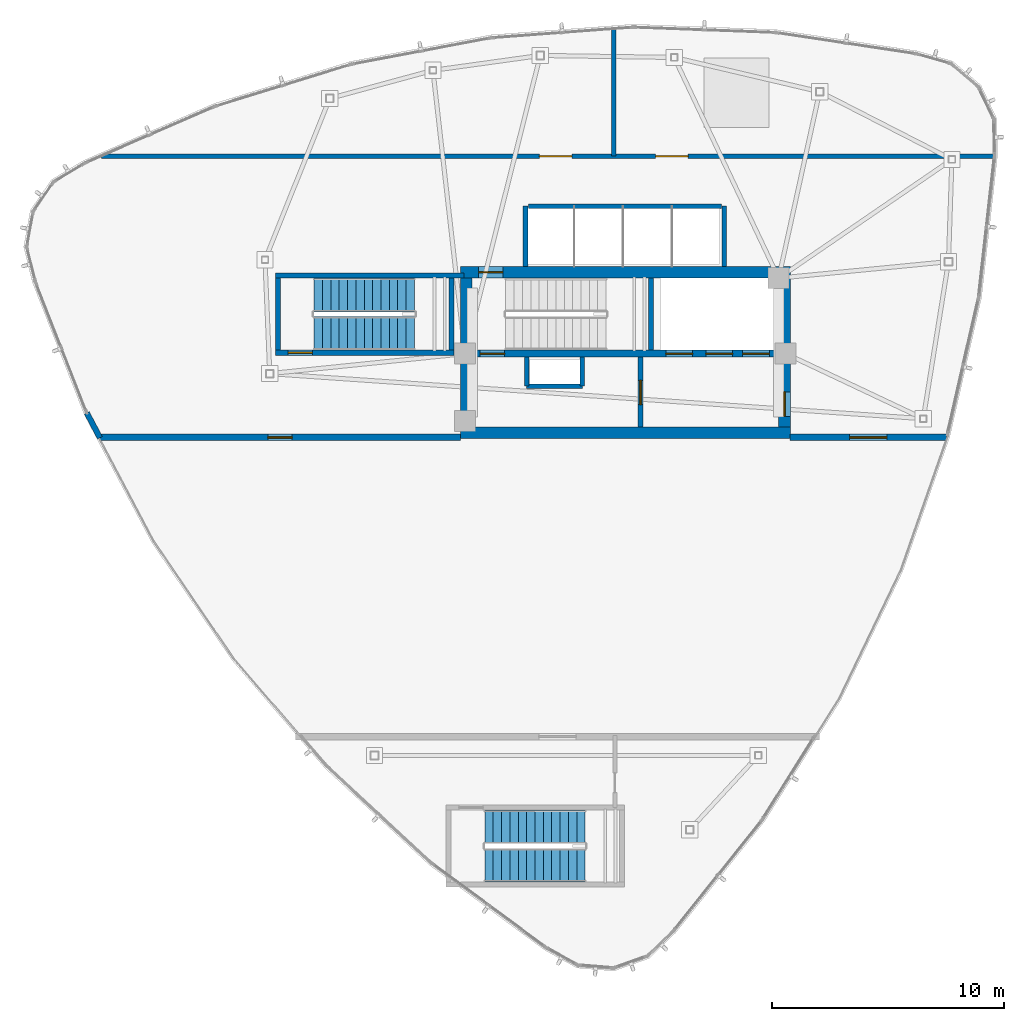
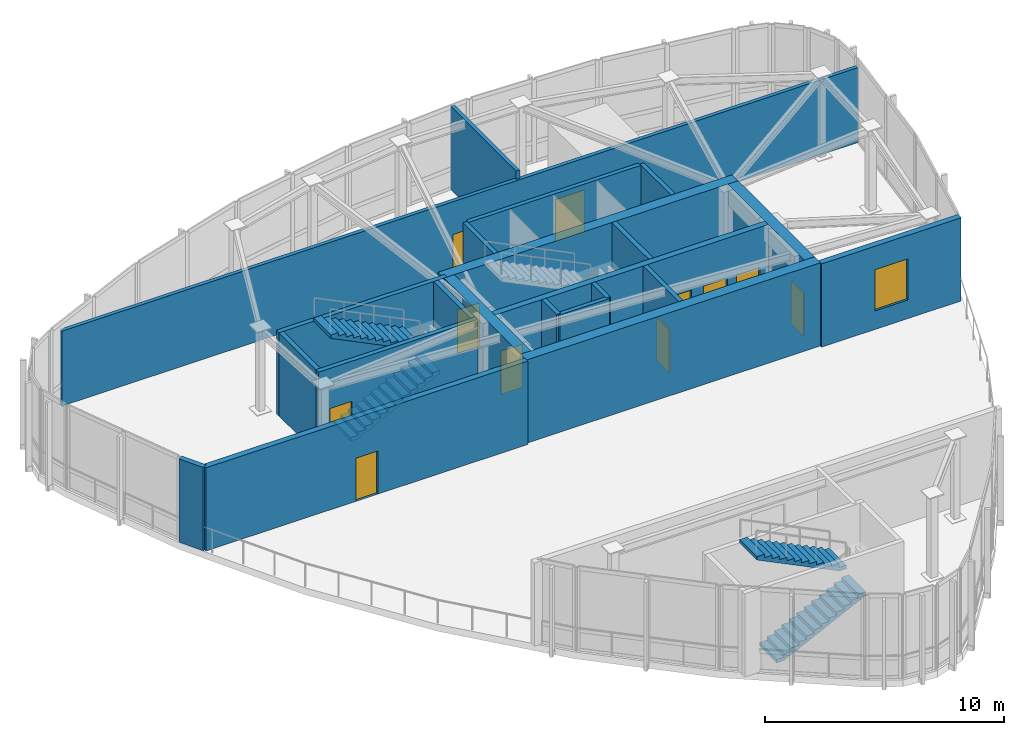
# One storey, part 11 of 16: 22 walls, 11 doors, 4 stair flights, 1 window, 12 openings, 2 elements without a shape of their own.
"""IFC4 building model written with IfcOpenShell, lengths in metres."""

from ifc_helpers import new_model, si_unit, direction, frame, frame_2d, origin, place, context, subcontext, project, spatial, polyline, rectangle, outline, extrude, material, layer, layer_set, type_object, element, fill, aggregate, save


model = new_model("IFC4")

# Units and contexts
model_context = context("Model", 3, precision=1e-05, world=origin(), true_north=direction((0.0, 1.0)))
body_context = subcontext(model_context, "Body", "Model", "MODEL_VIEW")
ifc_project = project(units=[si_unit("LENGTHUNIT", "METRE"), si_unit("AREAUNIT", "SQUARE_METRE"), si_unit("VOLUMEUNIT", "CUBIC_METRE"), si_unit("PLANEANGLEUNIT", "RADIAN"), si_unit("MASSUNIT", "GRAM", prefix="KILO")], contexts=[model_context])

# Site, building, storey
site_placement = place(None, origin())
site = spatial("IfcSite", under=ifc_project, at=site_placement, CompositionType="ELEMENT")
building_placement = place(site_placement, origin())
building = spatial("IfcBuilding", under=site, at=building_placement, Name="Tavelor Broadcast Tower", CompositionType="ELEMENT")
storey_placement = place(building_placement, frame((0.0, 0.0, 332.10009765625)))
storey = spatial("IfcBuildingStorey", under=building, at=storey_placement, Name="L79", CompositionType="ELEMENT", Elevation=332.10009765625)

# Wall, opening, door
ifc_material_1 = material(Name="Concrete C50/60", Category="concrete")
ifc_layer_1 = layer(ifc_material_1, 0.5)
ifc_layer_set_1 = layer_set([ifc_layer_1], Name="Concrete C50/60")
wall_type_1 = type_object("IfcWallType", Name="Core Shear Wall 500 mm", PredefinedType="SHEAR", material=ifc_layer_set_1)
wall_1_placement = place(storey_placement, frame((42.89990234375, 51.449951171875, 0.0), z_axis=(0.0, 0.0, 1.0), x_axis=(1.0, 0.0, 0.0)))
wall_1 = element("IfcWall", 1, at=wall_1_placement, inside=storey, type_object=wall_type_1, Name="L79 Central Core Shear Wall N", PredefinedType="SHEAR", context=body_context, shape_type="SweptSolid", body=[
    extrude(rectangle(XDim=14.2001953125, YDim=0.5, at=frame_2d((7.10009765625, 0.0))), origin(), (0.0, 0.0, 1.0), 4.25),
])
opening_1_placement = place(wall_1_placement, frame((0.780029296875, 0.0, 0.0)))
opening_1 = element("IfcOpeningElement", 2, at=opening_1_placement, cuts=wall_1, Name="Opening DR11", PredefinedType="OPENING", context=body_context, shape_type="SweptSolid", body=[
    extrude(rectangle(XDim=1.050048828125, YDim=2.199951171875, at=frame_2d((0.52490234375, 1.10009765625))), frame((0.0, 0.260009765625, 0.0), z_axis=(0.0, -1.0, 0.0), x_axis=(1.0, 0.0, 0.0)), (0.0, 0.0, 1.0), 0.52001953125),
])
ifc_material_2 = material(Name="Steel S355", Category="steel")
door_type_1 = type_object("IfcDoorType", Name="Stair Core Fire Escape Door 1050x2200", OperationType="NOTDEFINED", PredefinedType="DOOR", material=ifc_material_2)
door_1_placement = place(opening_1_placement, origin())
door_1 = element("IfcDoor", 3, at=door_1_placement, inside=storey, type_object=door_type_1, Name="L79 Stair ST1 Protected Exit Door", OperationType="SINGLE_SWING_LEFT", OverallHeight=2.199951171875, OverallWidth=1.050048828125, PredefinedType="DOOR", context=body_context, shape_type="SweptSolid", body=[
    extrude(rectangle(XDim=1.050048828125, YDim=2.199951171875, at=frame_2d((0.52490234375, 1.10009765625))), frame((0.0, 0.02490234375, 0.0), z_axis=(0.0, -1.0, 0.0), x_axis=(1.0, 0.0, 0.0)), (0.0, 0.0, 1.0), 0.050048828125),
])
fill(opening_1, door_1)

# Walls
wall_2_placement = place(storey_placement, frame((42.89990234375, 44.550048828125, 0.0), z_axis=(0.0, 0.0, 1.0), x_axis=(1.0, 0.0, 0.0)))
element("IfcWall", 4, at=wall_2_placement, inside=storey, type_object=wall_type_1, Name="L79 Central Core Shear Wall S", PredefinedType="SHEAR", context=body_context, shape_type="SweptSolid", body=[
    extrude(rectangle(XDim=14.2001953125, YDim=0.5, at=frame_2d((7.10009765625, 0.0))), origin(), (0.0, 0.0, 1.0), 4.25),
])
wall_3_placement = place(storey_placement, frame((43.14990234375, 44.800048828125, 0.0), z_axis=(0.0, 0.0, 1.0), x_axis=(0.0, 1.0, 0.0)))
element("IfcWall", 5, at=wall_3_placement, inside=storey, type_object=wall_type_1, Name="L79 Central Core Shear Wall W", PredefinedType="SHEAR", context=body_context, shape_type="SweptSolid", body=[
    extrude(rectangle(XDim=6.39990234375, YDim=0.5, at=frame_2d((3.199951171875, 0.0))), origin(), (0.0, 0.0, 1.0), 4.25),
])

# Wall, opening, door
wall_4_placement = place(storey_placement, frame((56.85009765625, 44.800048828125, 0.0), z_axis=(0.0, 0.0, 1.0), x_axis=(0.0, 1.0, 0.0)))
wall_4 = element("IfcWall", 6, at=wall_4_placement, inside=storey, type_object=wall_type_1, Name="L79 Central Core Shear Wall E", PredefinedType="SHEAR", context=body_context, shape_type="SweptSolid", body=[
    extrude(rectangle(XDim=6.39990234375, YDim=0.5, at=frame_2d((3.199951171875, 0.0))), origin(), (0.0, 0.0, 1.0), 4.25),
])
opening_2_placement = place(wall_4_placement, frame((0.449951171875, 0.0, 0.0)))
opening_2 = element("IfcOpeningElement", 7, at=opening_2_placement, cuts=wall_4, Name="Opening DR11", PredefinedType="OPENING", context=body_context, shape_type="SweptSolid", body=[
    extrude(rectangle(XDim=1.050048828125, YDim=2.199951171875, at=frame_2d((0.52490234375, 1.10009765625))), frame((0.0, 0.260009765625, 0.0), z_axis=(0.0, -1.0, 0.0), x_axis=(1.0, 0.0, 0.0)), (0.0, 0.0, 1.0), 0.52001953125),
])
door_2_placement = place(opening_2_placement, origin())
door_2 = element("IfcDoor", 8, at=door_2_placement, inside=storey, type_object=door_type_1, Name="L79 Crown Core East Lobby Door", OperationType="SINGLE_SWING_LEFT", OverallHeight=2.199951171875, OverallWidth=1.050048828125, PredefinedType="DOOR", context=body_context, shape_type="SweptSolid", body=[
    extrude(rectangle(XDim=1.050048828125, YDim=2.199951171875, at=frame_2d((0.52490234375, 1.10009765625))), frame((0.0, 0.02490234375, 0.0), z_axis=(0.0, -1.0, 0.0), x_axis=(1.0, 0.0, 0.0)), (0.0, 0.0, 1.0), 0.050048828125),
])
fill(opening_2, door_2)

# Wall, openings, doors
ifc_layer_2 = layer(ifc_material_1, 0.300048828125)
ifc_layer_set_2 = layer_set([ifc_layer_2], Name="Concrete C50/60")
wall_type_2 = type_object("IfcWallType", Name="Core Spine Shear Wall 300 mm C50", PredefinedType="SHEAR", material=ifc_layer_set_2)
wall_5_placement = place(storey_placement, frame((43.39990234375, 47.949951171875, 0.0), z_axis=(0.0, 0.0, 1.0), x_axis=(1.0, 0.0, 0.0)))
wall_5 = element("IfcWall", 9, at=wall_5_placement, inside=storey, type_object=wall_type_2, Name="L79 Central Core Shear Wall SP1", PredefinedType="SHEAR", context=body_context, shape_type="SweptSolid", body=[
    extrude(rectangle(XDim=13.2001953125, YDim=0.300048828125, at=frame_2d((6.60009765625, 0.0))), origin(), (0.0, 0.0, 1.0), 4.25),
])
opening_3_placement = place(wall_5_placement, frame((0.35009765625, 0.0, 0.0)))
opening_3 = element("IfcOpeningElement", 10, at=opening_3_placement, cuts=wall_5, Name="Opening DR11", PredefinedType="OPENING", context=body_context, shape_type="SweptSolid", body=[
    extrude(rectangle(XDim=1.050048828125, YDim=2.199951171875, at=frame_2d((0.52490234375, 1.10009765625))), frame((0.0, 0.16015625, 0.0), z_axis=(0.0, -1.0, 0.0), x_axis=(1.0, 0.0, 0.0)), (0.0, 0.0, 1.0), 0.320068359375),
])
opening_4_placement = place(wall_5_placement, frame((8.344970703125, 0.0, 0.0)))
opening_4 = element("IfcOpeningElement", 11, at=opening_4_placement, cuts=wall_5, Name="Opening LD02", PredefinedType="OPENING", context=body_context, shape_type="SweptSolid", body=[
    extrude(rectangle(XDim=1.14990234375, YDim=2.199951171875, at=frame_2d((0.574951171875, 1.10009765625))), frame((0.0, 0.16015625, 0.0), z_axis=(0.0, -1.0, 0.0), x_axis=(1.0, 0.0, 0.0)), (0.0, 0.0, 1.0), 0.320068359375),
])
opening_5_placement = place(wall_5_placement, frame((10.06494140625, 0.0, 0.0)))
opening_5 = element("IfcOpeningElement", 12, at=opening_5_placement, cuts=wall_5, Name="Opening LD02", PredefinedType="OPENING", context=body_context, shape_type="SweptSolid", body=[
    extrude(rectangle(XDim=1.14990234375, YDim=2.199951171875, at=frame_2d((0.574951171875, 1.10009765625))), frame((0.0, 0.16015625, 0.0), z_axis=(0.0, -1.0, 0.0), x_axis=(1.0, 0.0, 0.0)), (0.0, 0.0, 1.0), 0.320068359375),
])
opening_6_placement = place(wall_5_placement, frame((11.64501953125, 0.0, 0.0)))
opening_6 = element("IfcOpeningElement", 13, at=opening_6_placement, cuts=wall_5, Name="Opening LD03", PredefinedType="OPENING", context=body_context, shape_type="SweptSolid", body=[
    extrude(rectangle(XDim=1.14990234375, YDim=2.199951171875, at=frame_2d((0.574951171875, 1.10009765625))), frame((0.0, 0.16015625, 0.0), z_axis=(0.0, -1.0, 0.0), x_axis=(1.0, 0.0, 0.0)), (0.0, 0.0, 1.0), 0.320068359375),
])
ifc_material_3 = material(Name="Reinforced Brushed Stainless Steel", Category="concrete")
door_type_2 = type_object("IfcDoorType", Name="Broadcast Goods Lift Sliding Landing Door 1250x2200", OperationType="NOTDEFINED", PredefinedType="DOOR", material=ifc_material_3)
door_3_placement = place(opening_6_placement, origin())
door_3 = element("IfcDoor", 14, at=door_3_placement, inside=storey, type_object=door_type_2, Name="L79 Lift SVL1 Sliding Landing Door", OperationType="SLIDING_TO_LEFT", OverallHeight=2.199951171875, OverallWidth=1.14990234375, PredefinedType="DOOR", context=body_context, shape_type="SweptSolid", body=[
    extrude(rectangle(XDim=1.14990234375, YDim=2.199951171875, at=frame_2d((0.574951171875, 1.10009765625))), frame((0.0, 0.02490234375, 0.0), z_axis=(0.0, -1.0, 0.0), x_axis=(1.0, 0.0, 0.0)), (0.0, 0.0, 1.0), 0.050048828125),
])
fill(opening_6, door_3)
ifc_material_4 = material(Name="Fire-Rated Stainless Steel", Category="steel")
door_type_3 = type_object("IfcDoorType", Name="Firefighting Lift Sliding Landing Door 1200x2200", OperationType="NOTDEFINED", PredefinedType="DOOR", material=ifc_material_4)
door_4_placement = place(opening_4_placement, origin())
door_4 = element("IfcDoor", 15, at=door_4_placement, inside=storey, type_object=door_type_3, Name="L79 Lift FFL1 Sliding Landing Door", OperationType="SLIDING_TO_LEFT", OverallHeight=2.199951171875, OverallWidth=1.14990234375, PredefinedType="DOOR", context=body_context, shape_type="SweptSolid", body=[
    extrude(rectangle(XDim=1.14990234375, YDim=2.199951171875, at=frame_2d((0.574951171875, 1.10009765625))), frame((0.0, 0.02490234375, 0.0), z_axis=(0.0, -1.0, 0.0), x_axis=(1.0, 0.0, 0.0)), (0.0, 0.0, 1.0), 0.050048828125),
])
fill(opening_4, door_4)
door_5_placement = place(opening_5_placement, origin())
door_5 = element("IfcDoor", 16, at=door_5_placement, inside=storey, type_object=door_type_3, Name="L79 Lift FFL2 Sliding Landing Door", OperationType="SLIDING_TO_LEFT", OverallHeight=2.199951171875, OverallWidth=1.14990234375, PredefinedType="DOOR", context=body_context, shape_type="SweptSolid", body=[
    extrude(rectangle(XDim=1.14990234375, YDim=2.199951171875, at=frame_2d((0.574951171875, 1.10009765625))), frame((0.0, 0.02490234375, 0.0), z_axis=(0.0, -1.0, 0.0), x_axis=(1.0, 0.0, 0.0)), (0.0, 0.0, 1.0), 0.050048828125),
])
fill(opening_5, door_5)
door_6_placement = place(opening_3_placement, origin())
door_6 = element("IfcDoor", 17, at=door_6_placement, inside=storey, type_object=door_type_1, Name="L79 Crown Core Stair ST1 Door", OperationType="SINGLE_SWING_LEFT", OverallHeight=2.199951171875, OverallWidth=1.050048828125, PredefinedType="DOOR", context=body_context, shape_type="SweptSolid", body=[
    extrude(rectangle(XDim=1.050048828125, YDim=2.199951171875, at=frame_2d((0.52490234375, 1.10009765625))), frame((0.0, 0.02490234375, 0.0), z_axis=(0.0, -1.0, 0.0), x_axis=(1.0, 0.0, 0.0)), (0.0, 0.0, 1.0), 0.050048828125),
])
fill(opening_3, door_6)

# Wall
ifc_material_5 = material(Name="Calcium Silicate Fire Board 180 mm", Category="gypsum")
ifc_layer_3 = layer(ifc_material_5, 0.179931640625)
ifc_layer_set_3 = layer_set([ifc_layer_3], Name="Calcium Silicate Fire Board 180 mm")
wall_type_3 = type_object("IfcWallType", Name="Fire-Rated Corridor Partition Wall 180 mm", PredefinedType="PARTITIONING", material=ifc_layer_set_3)
wall_6_placement = place(storey_placement, frame((49.5, 56.449951171875, 0.0), z_axis=(0.0, 0.0, 1.0), x_axis=(0.0, 1.0, 0.0)))
element("IfcWall", 18, at=wall_6_placement, inside=storey, type_object=wall_type_3, Name="L79 Crown Peak A Plant Divider", PredefinedType="PARTITIONING", context=body_context, shape_type="SweptSolid", body=[
    extrude(rectangle(XDim=5.4833984375, YDim=0.179931640625, at=frame_2d((2.74169921875, 0.0))), origin(), (0.0, 0.0, 1.0), 4.25),
])

# Wall, openings, doors
wall_7_placement = place(storey_placement, frame((27.437255859375, 56.449951171875, 0.0), z_axis=(0.0, 0.0, 1.0), x_axis=(1.0, 0.0, 0.0)))
wall_7 = element("IfcWall", 19, at=wall_7_placement, inside=storey, type_object=wall_type_3, Name="L79 Peak A Plant Corridor Wall", PredefinedType="PARTITIONING", context=body_context, shape_type="SweptSolid", body=[
    extrude(rectangle(XDim=38.44482421875, YDim=0.179931640625, at=frame_2d((19.222412109375, 0.0))), origin(), (0.0, 0.0, 1.0), 3.824951171875),
])
opening_7_placement = place(wall_7_placement, frame((18.86279296875, 0.0, 0.0)))
opening_7 = element("IfcOpeningElement", 20, at=opening_7_placement, cuts=wall_7, Name="Opening DR41", PredefinedType="OPENING", context=body_context, shape_type="SweptSolid", body=[
    extrude(rectangle(XDim=1.39990234375, YDim=2.14990234375, at=frame_2d((0.699951171875, 1.074951171875))), frame((0.0, 0.10009765625, 0.0), z_axis=(0.0, -1.0, 0.0), x_axis=(1.0, 0.0, 0.0)), (0.0, 0.0, 1.0), 0.199951171875),
])
opening_8_placement = place(wall_7_placement, frame((23.86279296875, 0.0, 0.0)))
opening_8 = element("IfcOpeningElement", 21, at=opening_8_placement, cuts=wall_7, Name="Opening DR41", PredefinedType="OPENING", context=body_context, shape_type="SweptSolid", body=[
    extrude(rectangle(XDim=1.39990234375, YDim=2.14990234375, at=frame_2d((0.699951171875, 1.074951171875))), frame((0.0, 0.10009765625, 0.0), z_axis=(0.0, -1.0, 0.0), x_axis=(1.0, 0.0, 0.0)), (0.0, 0.0, 1.0), 0.199951171875),
])
door_type_4 = type_object("IfcDoorType", Name="Plant Room Double Fire Door 1400x2150", OperationType="NOTDEFINED", PredefinedType="DOOR", material=ifc_material_2)
door_7_placement = place(opening_7_placement, origin())
door_7 = element("IfcDoor", 22, at=door_7_placement, inside=storey, type_object=door_type_4, Name="L79 Broadcast Chiller Plant Door", OperationType="SINGLE_SWING_LEFT", OverallHeight=2.14990234375, OverallWidth=1.39990234375, PredefinedType="DOOR", context=body_context, shape_type="SweptSolid", body=[
    extrude(rectangle(XDim=1.39990234375, YDim=2.14990234375, at=frame_2d((0.699951171875, 1.074951171875))), frame((0.0, 0.02490234375, 0.0), z_axis=(0.0, -1.0, 0.0), x_axis=(1.0, 0.0, 0.0)), (0.0, 0.0, 1.0), 0.050048828125),
])
fill(opening_7, door_7)
door_8_placement = place(opening_8_placement, origin())
door_8 = element("IfcDoor", 23, at=door_8_placement, inside=storey, type_object=door_type_4, Name="L79 Emergency Switchgear and AHU Plant Door", OperationType="SINGLE_SWING_RIGHT", OverallHeight=2.14990234375, OverallWidth=1.39990234375, PredefinedType="DOOR", context=body_context, shape_type="SweptSolid", body=[
    extrude(rectangle(XDim=1.39990234375, YDim=2.14990234375, at=frame_2d((0.699951171875, 1.074951171875))), frame((0.0, 0.02490234375, 0.0), z_axis=(0.0, -1.0, 0.0), x_axis=(1.0, 0.0, 0.0)), (0.0, 0.0, 1.0), 0.050048828125),
])
fill(opening_8, door_8)

# Wall, opening, door
ifc_material_6 = material(Name="Precast Concrete C40/50", Category="concrete")
ifc_layer_4 = layer(ifc_material_6, 0.280029296875)
ifc_layer_set_4 = layer_set([ifc_layer_4], Name="Precast Concrete C40/50")
wall_type_4 = type_object("IfcWallType", Name="Insulated Precast Terracotta Facade Wall 280 mm", PredefinedType="STANDARD", material=ifc_layer_set_4)
wall_8_placement = place(storey_placement, frame((27.357666015625, 44.340087890625, 0.0), z_axis=(0.0, 0.0, 1.0), x_axis=(1.0, 0.0, 0.0)))
wall_8 = element("IfcWall", 24, at=wall_8_placement, inside=storey, type_object=wall_type_4, Name="L79 Crown Peak A Sky-Slot Wall 01.1", PredefinedType="STANDARD", context=body_context, shape_type="SweptSolid", body=[
    extrude(rectangle(XDim=15.55224609375, YDim=0.280029296875, at=frame_2d((7.776123046875, 0.0))), origin(), (0.0, 0.0, 1.0), 4.25),
])
opening_9_placement = place(wall_8_placement, frame((7.251220703125, 0.0, 0.0)))
opening_9 = element("IfcOpeningElement", 25, at=opening_9_placement, cuts=wall_8, Name="Opening DR52", PredefinedType="OPENING", context=body_context, shape_type="SweptSolid", body=[
    extrude(rectangle(XDim=1.050048828125, YDim=2.199951171875, at=frame_2d((0.52490234375, 1.10009765625))), frame((0.0, 0.14990234375, 0.0), z_axis=(0.0, -1.0, 0.0), x_axis=(1.0, 0.0, 0.0)), (0.0, 0.0, 1.0), 0.300048828125),
])
ifc_material_7 = material(Name="Architectural Anodized Aluminium", Category="aluminium")
door_type_5 = type_object("IfcDoorType", Name="Terrace Garden Glazed Access Door 1050x2200", OperationType="NOTDEFINED", PredefinedType="DOOR", material=ifc_material_7)
door_9_placement = place(opening_9_placement, origin())
door_9 = element("IfcDoor", 26, at=door_9_placement, inside=storey, type_object=door_type_5, Name="L79 Sky-Slot Maintenance Terrace Door", OperationType="SINGLE_SWING_LEFT", OverallHeight=2.199951171875, OverallWidth=1.050048828125, PredefinedType="DOOR", context=body_context, shape_type="SweptSolid", body=[
    extrude(rectangle(XDim=1.050048828125, YDim=2.199951171875, at=frame_2d((0.52490234375, 1.10009765625))), frame((0.0, 0.02490234375, 0.0), z_axis=(0.0, -1.0, 0.0), x_axis=(1.0, 0.0, 0.0)), (0.0, 0.0, 1.0), 0.050048828125),
])
fill(opening_9, door_9)

# Wall, opening, window
wall_9_placement = place(storey_placement, frame((57.090087890625, 44.340087890625, 0.0), z_axis=(0.0, 0.0, 1.0), x_axis=(1.0, 0.0, 0.0)))
wall_9 = element("IfcWall", 27, at=wall_9_placement, inside=storey, type_object=wall_type_4, Name="L79 Crown Peak A Sky-Slot Wall 01.2", PredefinedType="STANDARD", context=body_context, shape_type="SweptSolid", body=[
    extrude(rectangle(XDim=6.73828125, YDim=0.280029296875, at=frame_2d((3.369140625, 0.0))), origin(), (0.0, 0.0, 1.0), 4.25),
])
opening_10_placement = place(wall_9_placement, frame((2.569091796875, 0.0, 0.949951171875)))
opening_10 = element("IfcOpeningElement", 28, at=opening_10_placement, cuts=wall_9, Name="Opening WN29", PredefinedType="OPENING", context=body_context, shape_type="SweptSolid", body=[
    extrude(rectangle(XDim=1.60009765625, YDim=2.10009765625, at=frame_2d((0.800048828125, 1.050048828125))), frame((0.0, 0.14990234375, 0.0), z_axis=(0.0, -1.0, 0.0), x_axis=(1.0, 0.0, 0.0)), (0.0, 0.0, 1.0), 0.300048828125),
])
ifc_material_8 = material(Name="Acoustic Double Glazing 28 mm", Category="glass")
window_type = type_object("IfcWindowType", Name="Crown Beacon Observation Window 1600x2100", PartitioningType="SINGLE_PANEL", PredefinedType="WINDOW", material=ifc_material_8)
window_placement = place(opening_10_placement, origin())
window = element("IfcWindow", 29, at=window_placement, inside=storey, type_object=window_type, Name="L79 Crown Sky-Slot Observation Window A01.2", OverallHeight=2.10009765625, OverallWidth=1.60009765625, PartitioningType="SINGLE_PANEL", PredefinedType="WINDOW", context=body_context, shape_type="SweptSolid", body=[
    extrude(rectangle(XDim=1.60009765625, YDim=2.10009765625, at=frame_2d((0.800048828125, 1.050048828125))), frame((0.0, 0.030029296875, 0.0), z_axis=(0.0, -1.0, 0.0), x_axis=(1.0, 0.0, 0.0)), (0.0, 0.0, 1.0), 0.06005859375),
])
fill(opening_10, window)

# Walls
ifc_material_9 = material(Name="Concrete Blockwork 200 mm", Category="masonry")
ifc_layer_5 = layer(ifc_material_9, 0.199951171875)
ifc_layer_set_5 = layer_set([ifc_layer_5], Name="Concrete Blockwork 200 mm")
wall_type_5 = type_object("IfcWallType", Name="Lift Hoistway Rated Front Wall 200 mm", PredefinedType="PARTITIONING", material=ifc_layer_set_5)
wall_10_placement = place(storey_placement, frame((45.820068359375, 54.300048828125, 0.0), z_axis=(0.0, 0.0, 1.0), x_axis=(1.0, 0.0, 0.0)))
element("IfcWall", 30, at=wall_10_placement, inside=storey, type_object=wall_type_5, Name="L79 High-Rise Lift Hoistway Front Wall", PredefinedType="PARTITIONING", context=body_context, shape_type="SweptSolid", body=[
    extrude(rectangle(XDim=8.309814453125, YDim=0.199951171875, at=frame_2d((4.15478515625, 0.0))), origin(), (0.0, 0.0, 1.0), 4.25),
])
ifc_layer_6 = layer(ifc_material_9, 0.199951171875)
ifc_layer_set_6 = layer_set([ifc_layer_6], Name="Concrete Blockwork 200 mm")
wall_type_6 = type_object("IfcWallType", Name="Lift and Riser Shaft Enclosure Wall 200 mm", PredefinedType="PARTITIONING", material=ifc_layer_set_6)
for number, where, z_axis, x_axis, name in (
    (31, (45.699951171875, 51.699951171875, 0.0), (0.0, 0.0, 1.0), (0.0, 1.0, 0.0), "L79 High-Rise Lift Shaft West Wall"),
    (32, (54.25, 51.699951171875, 0.0), (0.0, 0.0, 1.0), (0.0, 1.0, 0.0), "L79 High-Rise Lift Shaft East Wall"),
):
    element("IfcWall", number, at=place(storey_placement, frame(where, z_axis=z_axis, x_axis=x_axis)), inside=storey, type_object=wall_type_6, Name=name, PredefinedType="PARTITIONING", context=body_context, shape_type="SweptSolid", body=[
        extrude(rectangle(XDim=2.60009765625, YDim=0.199951171875, at=frame_2d((1.300048828125, 0.0))), origin(), (0.0, 0.0, 1.0), 4.25),
    ])
wall_11_placement = place(storey_placement, frame((45.75, 46.550048828125, 0.0), z_axis=(0.0, 0.0, 1.0), x_axis=(1.0, 0.0, 0.0)))
element("IfcWall", 33, at=wall_11_placement, inside=storey, type_object=wall_type_6, Name="L79 Riser Shaft South Wall", PredefinedType="PARTITIONING", context=body_context, shape_type="SweptSolid", body=[
    extrude(rectangle(XDim=2.39990234375, YDim=0.199951171875, at=frame_2d((1.199951171875, 0.0))), origin(), (0.0, 0.0, 1.0), 4.25),
])
for number, where, z_axis, x_axis, name in (
    (34, (48.14990234375, 46.550048828125, 0.0), (0.0, 0.0, 1.0), (0.0, 1.0, 0.0), "L79 Riser Shaft East Wall"),
    (35, (45.75, 46.550048828125, 0.0), (0.0, 0.0, 1.0), (0.0, 1.0, 0.0), "L79 Riser Shaft West Wall"),
):
    element("IfcWall", number, at=place(storey_placement, frame(where, z_axis=z_axis, x_axis=x_axis)), inside=storey, type_object=wall_type_6, Name=name, PredefinedType="PARTITIONING", context=body_context, shape_type="SweptSolid", body=[
        extrude(rectangle(XDim=1.25, YDim=0.199951171875, at=frame_2d((0.625, 0.0))), origin(), (0.0, 0.0, 1.0), 4.25),
    ])

# Wall, opening, door
wall_12_placement = place(storey_placement, frame((50.64990234375, 44.800048828125, 0.0), z_axis=(0.0, 0.0, 1.0), x_axis=(0.0, 1.0, 0.0)))
wall_12 = element("IfcWall", 36, at=wall_12_placement, inside=storey, type_object=wall_type_6, Name="L79 Firefighting Lobby West Wall", PredefinedType="PARTITIONING", context=body_context, shape_type="SweptSolid", body=[
    extrude(rectangle(XDim=3.0, YDim=0.199951171875, at=frame_2d((1.5, 0.0))), origin(), (0.0, 0.0, 1.0), 4.25),
])
opening_11_placement = place(wall_12_placement, frame((0.949951171875, 0.0, 0.0)))
opening_11 = element("IfcOpeningElement", 37, at=opening_11_placement, cuts=wall_12, Name="Opening DR11", PredefinedType="OPENING", context=body_context, shape_type="SweptSolid", body=[
    extrude(rectangle(XDim=1.050048828125, YDim=2.199951171875, at=frame_2d((0.52490234375, 1.10009765625))), frame((0.0, 0.10986328125, 0.0), z_axis=(0.0, -1.0, 0.0), x_axis=(1.0, 0.0, 0.0)), (0.0, 0.0, 1.0), 0.219970703125),
])
door_10_placement = place(opening_11_placement, origin())
door_10 = element("IfcDoor", 38, at=door_10_placement, inside=storey, type_object=door_type_1, Name="L79 Firefighting Lobby Compartment Door", OperationType="SINGLE_SWING_LEFT", OverallHeight=2.199951171875, OverallWidth=1.050048828125, PredefinedType="DOOR", context=body_context, shape_type="SweptSolid", body=[
    extrude(rectangle(XDim=1.050048828125, YDim=2.199951171875, at=frame_2d((0.52490234375, 1.10009765625))), frame((0.0, 0.02490234375, 0.0), z_axis=(0.0, -1.0, 0.0), x_axis=(1.0, 0.0, 0.0)), (0.0, 0.0, 1.0), 0.050048828125),
])
fill(opening_11, door_10)

# Walls
ifc_layer_7 = layer(ifc_material_6, 0.239990234375)
ifc_layer_set_7 = layer_set([ifc_layer_7], Name="Precast Concrete C40/50")
wall_type_7 = type_object("IfcWallType", Name="Roof and Terrace Perimeter Parapet Wall 240 mm", PredefinedType="PARAPET", material=ifc_layer_set_7)
wall_13_placement = place(storey_placement, frame((26.814697265625, 45.396240234375, 0.0), z_axis=(0.0, 0.0, 1.0), x_axis=(0.467043623262, -0.884234275501, 0.0)))
element("IfcWall", 39, at=wall_13_placement, inside=storey, type_object=wall_type_7, Name="L79 Crown Peak A Rounded Apex Pier 20", PredefinedType="PARAPET", context=body_context, shape_type="SweptSolid", body=[
    extrude(rectangle(XDim=1.209716796875, YDim=0.239990234375, at=frame_2d((0.60498046875, 0.0))), origin(), (0.0, 0.0, 1.0), 4.25),
])
ifc_material_10 = material(Name="Concrete C40/50", Category="concrete")
ifc_layer_8 = layer(ifc_material_10, 0.219970703125)
ifc_layer_set_8 = layer_set([ifc_layer_8], Name="Concrete C40/50")
wall_type_8 = type_object("IfcWallType", Name="Structural Stairwell Shear Wall 220 mm", PredefinedType="SHEAR", material=ifc_layer_set_8)
wall_14_placement = place(storey_placement, frame((51.110107421875, 48.10009765625, 0.0), z_axis=(0.0, 0.0, 1.0), x_axis=(0.0, 1.0, 0.0)))
element("IfcWall", 40, at=wall_14_placement, inside=storey, type_object=wall_type_8, Name="L79 Stair ST1 Structural Shaft Wall", PredefinedType="SHEAR", context=body_context, shape_type="SweptSolid", body=[
    extrude(rectangle(XDim=3.099853515625, YDim=0.219970703125, at=frame_2d((1.5498046875, 0.0))), origin(), (0.0, 0.0, 1.0), 4.25),
])

# Wall, opening, door
wall_15_placement = place(storey_placement, frame((34.929931640625, 47.989990234375, 0.0), z_axis=(0.0, 0.0, 1.0), x_axis=(1.0, 0.0, 0.0)))
wall_15 = element("IfcWall", 41, at=wall_15_placement, inside=storey, type_object=wall_type_8, Name="L79 Stair ST5 Structural Shaft Wall S", PredefinedType="SHEAR", context=body_context, shape_type="SweptSolid", body=[
    extrude(rectangle(XDim=7.690185546875, YDim=0.219970703125, at=frame_2d((3.84521484375, 0.0))), origin(), (0.0, 0.0, 1.0), 4.25),
])
opening_12_placement = place(wall_15_placement, frame((0.550048828125, 0.0, 0.0)))
opening_12 = element("IfcOpeningElement", 42, at=opening_12_placement, cuts=wall_15, Name="Opening DR11", PredefinedType="OPENING", context=body_context, shape_type="SweptSolid", body=[
    extrude(rectangle(XDim=1.050048828125, YDim=2.199951171875, at=frame_2d((0.52490234375, 1.10009765625))), frame((0.0, 0.1201171875, 0.0), z_axis=(0.0, -1.0, 0.0), x_axis=(1.0, 0.0, 0.0)), (0.0, 0.0, 1.0), 0.239990234375),
])
door_11_placement = place(opening_12_placement, origin())
door_11 = element("IfcDoor", 43, at=door_11_placement, inside=storey, type_object=door_type_1, Name="L79 Stair ST5 Protected Fire Door", OperationType="SINGLE_SWING_RIGHT", OverallHeight=2.199951171875, OverallWidth=1.050048828125, PredefinedType="DOOR", context=body_context, shape_type="SweptSolid", body=[
    extrude(rectangle(XDim=1.050048828125, YDim=2.199951171875, at=frame_2d((0.52490234375, 1.10009765625))), frame((0.0, 0.02490234375, 0.0), z_axis=(0.0, -1.0, 0.0), x_axis=(1.0, 0.0, 0.0)), (0.0, 0.0, 1.0), 0.050048828125),
])
fill(opening_12, door_11)

# Walls
wall_16_placement = place(storey_placement, frame((34.929931640625, 51.31005859375, 0.0), z_axis=(0.0, 0.0, 1.0), x_axis=(1.0, 0.0, 0.0)))
element("IfcWall", 44, at=wall_16_placement, inside=storey, type_object=wall_type_8, Name="L79 Stair ST5 Structural Shaft Wall N", PredefinedType="SHEAR", context=body_context, shape_type="SweptSolid", body=[
    extrude(rectangle(XDim=8.1201171875, YDim=0.219970703125, at=frame_2d((4.06005859375, 0.0))), origin(), (0.0, 0.0, 1.0), 4.25),
])
for number, where, z_axis, x_axis, name in (
    (45, (42.510009765625, 48.10009765625, 0.0), (0.0, 0.0, 1.0), (0.0, 1.0, 0.0), "L79 Stair ST5 Structural Shaft Wall E"),
    (46, (35.0400390625, 48.10009765625, 0.0), (0.0, 0.0, 1.0), (0.0, 1.0, 0.0), "L79 Stair ST5 Structural Shaft Wall W"),
):
    element("IfcWall", number, at=place(storey_placement, frame(where, z_axis=z_axis, x_axis=x_axis)), inside=storey, type_object=wall_type_8, Name=name, PredefinedType="SHEAR", context=body_context, shape_type="SweptSolid", body=[
        extrude(rectangle(XDim=3.099853515625, YDim=0.219970703125, at=frame_2d((1.5498046875, 0.0))), origin(), (0.0, 0.0, 1.0), 4.25),
    ])

# Stair, stair flights
stair_type = type_object("IfcStairType", Name="Reinforced Concrete Protected Dogleg Stair 1450 mm", PredefinedType="HALF_TURN_STAIR", material=ifc_material_10)
stair_1_placement = place(storey_placement, origin())
stair_1 = element("IfcStair", 47, at=stair_1_placement, inside=storey, type_object=stair_type, Name="L79 Crown Peak A Plant Stair ST5", PredefinedType="HALF_TURN_STAIR")
stair_flight_type = type_object("IfcStairFlightType", Name="Reinforced Concrete Stair Flight 1450 mm", PredefinedType="STRAIGHT", material=ifc_material_10)
stair_flight_1_placement = place(storey_placement, frame((36.60009765625, 48.824951171875, 0.0), z_axis=(0.0, 0.0, 1.0), x_axis=(1.0, 0.0, 0.0)))
stair_flight_1 = element("IfcStairFlight", 48, at=stair_flight_1_placement, type_object=stair_flight_type, Name="ST5 flight 1", NumberOfRisers=13, NumberOfTreads=12, PredefinedType="STRAIGHT", RiserHeight=0.176923077, TreadLength=0.36, context=body_context, shape_type="SweptSolid", body=[
    extrude(outline(polyline([(0.0, 0.0), (0.0, 0.177001953125), (0.360107421875, 0.177001953125), (0.360107421875, 0.353759765625), (0.719970703125, 0.353759765625), (0.719970703125, 0.53076171875), (1.080078125, 0.53076171875), (1.080078125, 0.707763671875), (1.43994140625, 0.707763671875), (1.43994140625, 0.884521484375), (1.800048828125, 0.884521484375), (1.800048828125, 1.0615234375), (2.159912109375, 1.0615234375), (2.159912109375, 1.238525390625), (2.52001953125, 1.238525390625), (2.52001953125, 1.415283203125), (2.8798828125, 1.415283203125), (2.8798828125, 1.59228515625), (3.239990234375, 1.59228515625), (3.239990234375, 1.769287109375), (3.60009765625, 1.769287109375), (3.60009765625, 1.946044921875), (3.9599609375, 1.946044921875), (3.9599609375, 2.123046875), (4.320068359375, 2.123046875), (4.320068359375, 2.300048828125), (4.320068359375, 1.9560546875), (0.33984375, 0.0), (0.0, 0.0)])), frame((0.0, 0.72509765625, 0.0), z_axis=(0.0, -1.0, 0.0), x_axis=(1.0, 0.0, 0.0)), (0.0, 0.0, 1.0), 1.449951171875),
])
stair_flight_2_placement = place(storey_placement, frame((40.919921875, 50.47509765625, 2.2998046875), z_axis=(0.0, 0.0, 1.0), x_axis=(-1.0, 0.0, 0.0)))
stair_flight_2 = element("IfcStairFlight", 49, at=stair_flight_2_placement, type_object=stair_flight_type, Name="ST5 flight 2", NumberOfRisers=13, NumberOfTreads=12, PredefinedType="STRAIGHT", RiserHeight=0.176923077, TreadLength=0.36, context=body_context, shape_type="SweptSolid", body=[
    extrude(outline(polyline([(0.0, 0.0), (0.0, 0.177001953125), (0.360107421875, 0.177001953125), (0.360107421875, 0.353759765625), (0.719970703125, 0.353759765625), (0.719970703125, 0.53076171875), (1.080078125, 0.53076171875), (1.080078125, 0.707763671875), (1.43994140625, 0.707763671875), (1.43994140625, 0.884521484375), (1.800048828125, 0.884521484375), (1.800048828125, 1.0615234375), (2.159912109375, 1.0615234375), (2.159912109375, 1.238525390625), (2.52001953125, 1.238525390625), (2.52001953125, 1.415283203125), (2.8798828125, 1.415283203125), (2.8798828125, 1.59228515625), (3.239990234375, 1.59228515625), (3.239990234375, 1.769287109375), (3.60009765625, 1.769287109375), (3.60009765625, 1.946044921875), (3.9599609375, 1.946044921875), (3.9599609375, 2.123046875), (4.320068359375, 2.123046875), (4.320068359375, 2.300048828125), (4.320068359375, 1.9560546875), (0.33984375, 0.0), (0.0, 0.0)])), frame((0.0, 0.72509765625, 0.0), z_axis=(0.0, -1.0, 0.0), x_axis=(1.0, 0.0, 0.0)), (0.0, 0.0, 1.0), 1.449951171875),
])
aggregate(stair_1, [stair_flight_1, stair_flight_2])

stair_2_placement = place(storey_placement, origin())
stair_2 = element("IfcStair", 50, at=stair_2_placement, inside=storey, type_object=stair_type, Name="L79 Crown Peak B Plant Stair ST6", PredefinedType="HALF_TURN_STAIR")
stair_flight_3_placement = place(storey_placement, frame((43.949951171875, 25.925048828125, 0.0), z_axis=(0.0, 0.0, 1.0), x_axis=(1.0, 0.0, 0.0)))
stair_flight_3 = element("IfcStairFlight", 51, at=stair_flight_3_placement, type_object=stair_flight_type, Name="ST6 flight 1", NumberOfRisers=13, NumberOfTreads=12, PredefinedType="STRAIGHT", RiserHeight=0.176923077, TreadLength=0.36, context=body_context, shape_type="SweptSolid", body=[
    extrude(outline(polyline([(0.0, 0.0), (0.0, 0.177001953125), (0.360107421875, 0.177001953125), (0.360107421875, 0.353759765625), (0.719970703125, 0.353759765625), (0.719970703125, 0.53076171875), (1.080078125, 0.53076171875), (1.080078125, 0.707763671875), (1.43994140625, 0.707763671875), (1.43994140625, 0.884521484375), (1.800048828125, 0.884521484375), (1.800048828125, 1.0615234375), (2.159912109375, 1.0615234375), (2.159912109375, 1.238525390625), (2.52001953125, 1.238525390625), (2.52001953125, 1.415283203125), (2.8798828125, 1.415283203125), (2.8798828125, 1.59228515625), (3.239990234375, 1.59228515625), (3.239990234375, 1.769287109375), (3.60009765625, 1.769287109375), (3.60009765625, 1.946044921875), (3.9599609375, 1.946044921875), (3.9599609375, 2.123046875), (4.320068359375, 2.123046875), (4.320068359375, 2.300048828125), (4.320068359375, 1.9560546875), (0.33984375, 0.0), (0.0, 0.0)])), frame((0.0, 0.72509765625, 0.0), z_axis=(0.0, -1.0, 0.0), x_axis=(1.0, 0.0, 0.0)), (0.0, 0.0, 1.0), 1.449951171875),
])
stair_flight_4_placement = place(storey_placement, frame((48.27001953125, 27.574951171875, 2.2998046875), z_axis=(0.0, 0.0, 1.0), x_axis=(-1.0, 0.0, 0.0)))
stair_flight_4 = element("IfcStairFlight", 52, at=stair_flight_4_placement, type_object=stair_flight_type, Name="ST6 flight 2", NumberOfRisers=13, NumberOfTreads=12, PredefinedType="STRAIGHT", RiserHeight=0.176923077, TreadLength=0.36, context=body_context, shape_type="SweptSolid", body=[
    extrude(outline(polyline([(0.0, 0.0), (0.0, 0.177001953125), (0.360107421875, 0.177001953125), (0.360107421875, 0.353759765625), (0.719970703125, 0.353759765625), (0.719970703125, 0.53076171875), (1.080078125, 0.53076171875), (1.080078125, 0.707763671875), (1.43994140625, 0.707763671875), (1.43994140625, 0.884521484375), (1.800048828125, 0.884521484375), (1.800048828125, 1.0615234375), (2.159912109375, 1.0615234375), (2.159912109375, 1.238525390625), (2.52001953125, 1.238525390625), (2.52001953125, 1.415283203125), (2.8798828125, 1.415283203125), (2.8798828125, 1.59228515625), (3.239990234375, 1.59228515625), (3.239990234375, 1.769287109375), (3.60009765625, 1.769287109375), (3.60009765625, 1.946044921875), (3.9599609375, 1.946044921875), (3.9599609375, 2.123046875), (4.320068359375, 2.123046875), (4.320068359375, 2.300048828125), (4.320068359375, 1.9560546875), (0.33984375, 0.0), (0.0, 0.0)])), frame((0.0, 0.72509765625, 0.0), z_axis=(0.0, -1.0, 0.0), x_axis=(1.0, 0.0, 0.0)), (0.0, 0.0, 1.0), 1.449951171875),
])
aggregate(stair_2, [stair_flight_3, stair_flight_4])

save(model, "model.ifc")
